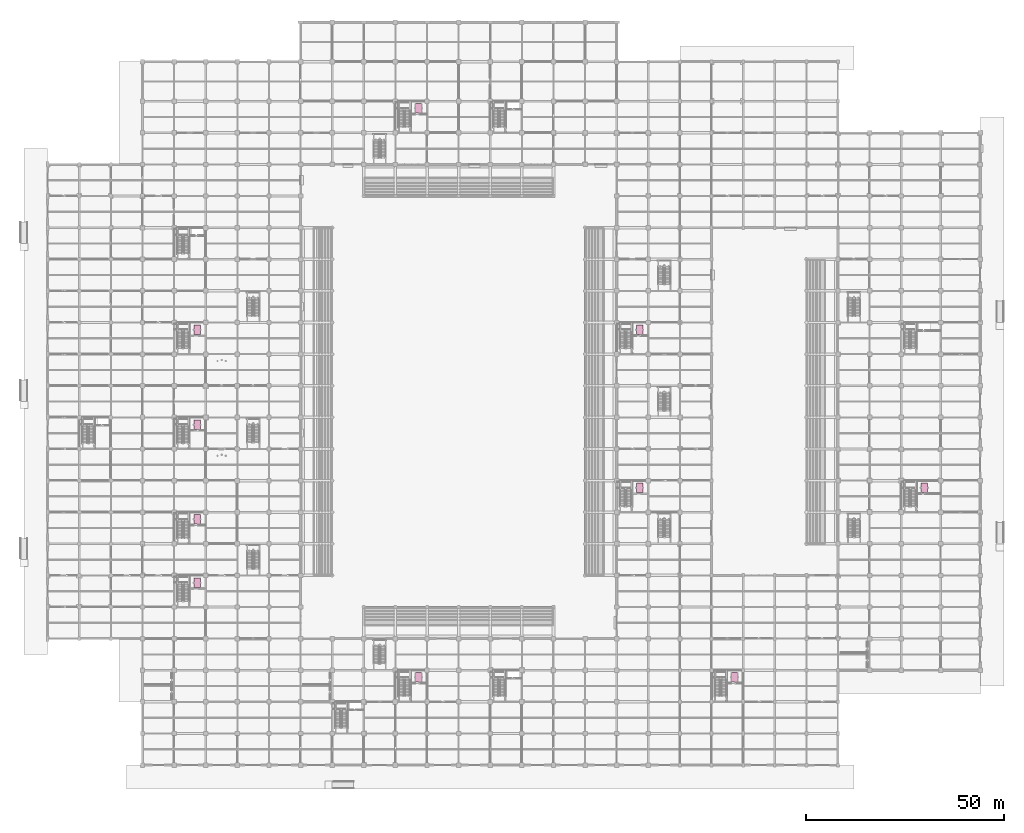
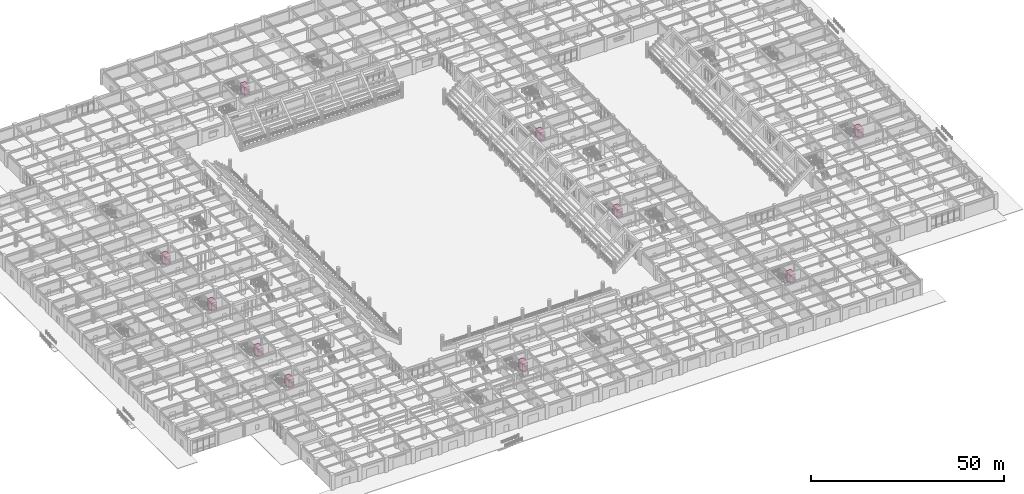
# One storey, part 125 of 125: 10 transport elements.
"""IFC4 building model written with IfcOpenShell, lengths in metres."""

from ifc_helpers import new_model, si_unit, direction, frame, origin, origin_2d, place, context, subcontext, project, spatial, rectangle, extrude, material, type_object, element, save


model = new_model("IFC4")

# Units and contexts
model_context = context("Model", 3, precision=1e-05, world=origin(), true_north=direction((0.0, 1.0)))
body_context = subcontext(model_context, "Body", "Model", "MODEL_VIEW")
ifc_project = project(units=[si_unit("LENGTHUNIT", "METRE"), si_unit("AREAUNIT", "SQUARE_METRE"), si_unit("VOLUMEUNIT", "CUBIC_METRE"), si_unit("PLANEANGLEUNIT", "RADIAN"), si_unit("MASSUNIT", "GRAM", prefix="KILO")], contexts=[model_context])

# Site, building, storey
site_placement = place(None, origin())
site = spatial("IfcSite", under=ifc_project, at=site_placement, CompositionType="ELEMENT")
building_placement = place(site_placement, origin())
building = spatial("IfcBuilding", under=site, at=building_placement, Name="Haebicheon Civic Stadium", CompositionType="ELEMENT")
storey_placement = place(building_placement, origin())
storey = spatial("IfcBuildingStorey", under=building, at=storey_placement, Name="L01", CompositionType="ELEMENT", Elevation=0.0)

# Transport elements
ifc_material = material(Name="Stainless steel 316", Category="steel")
transport_element_type = type_object("IfcTransportElementType", Name="LFT-STR-2000", PredefinedType="ELEVATOR", material=ifc_material)
for number, where, z_axis, x_axis, name in (
    (1, (37.820068359375, 46.179931640625, 0.0), (0.0, 0.0, 1.0), (1.0, 0.0, 0.0), "Passenger stretcher lift LF-01"),
    (2, (37.820068359375, 62.179931640625, 0.0), (0.0, 0.0, 1.0), (1.0, 0.0, 0.0), "Passenger stretcher lift LF-02"),
    (3, (37.820068359375, 86.179931640625, 0.0), (0.0, 0.0, 1.0), (1.0, 0.0, 0.0), "Passenger stretcher lift LF-03"),
    (4, (37.820068359375, 110.179931640625, 0.0), (0.0, 0.0, 1.0), (1.0, 0.0, 0.0), "Passenger stretcher lift LF-04"),
    (5, (93.820068359375, 22.179931640625, 0.0), (0.0, 0.0, 1.0), (1.0, 0.0, 0.0), "Passenger stretcher lift LF-05"),
    (6, (93.820068359375, 166.179931640625, 0.0), (0.0, 0.0, 1.0), (1.0, 0.0, 0.0), "Passenger stretcher lift LF-06"),
    (7, (149.820068359375, 70.179931640625, 0.0), (0.0, 0.0, 1.0), (1.0, 0.0, 0.0), "Passenger stretcher lift LF-07"),
    (8, (149.820068359375, 110.179931640625, 0.0), (0.0, 0.0, 1.0), (1.0, 0.0, 0.0), "Passenger stretcher lift LF-08"),
    (9, (221.820068359375, 70.179931640625, 0.0), (0.0, 0.0, 1.0), (1.0, 0.0, 0.0), "Passenger stretcher lift LF-09"),
    (10, (173.820068359375, 22.179931640625, 0.0), (0.0, 0.0, 1.0), (1.0, 0.0, 0.0), "Passenger stretcher lift LF-10"),
):
    element("IfcTransportElement", number, at=place(storey_placement, frame(where, z_axis=z_axis, x_axis=x_axis)), inside=storey, type_object=transport_element_type, material=ifc_material, Name=name, PredefinedType="ELEVATOR", context=body_context, shape_type="SweptSolid", body=[
        extrude(rectangle(XDim=1.60009765625, YDim=2.39990234375, at=origin_2d()), origin(), (0.0, 0.0, 1.0), 2.60009765625),
    ])

save(model, "model.ifc")
